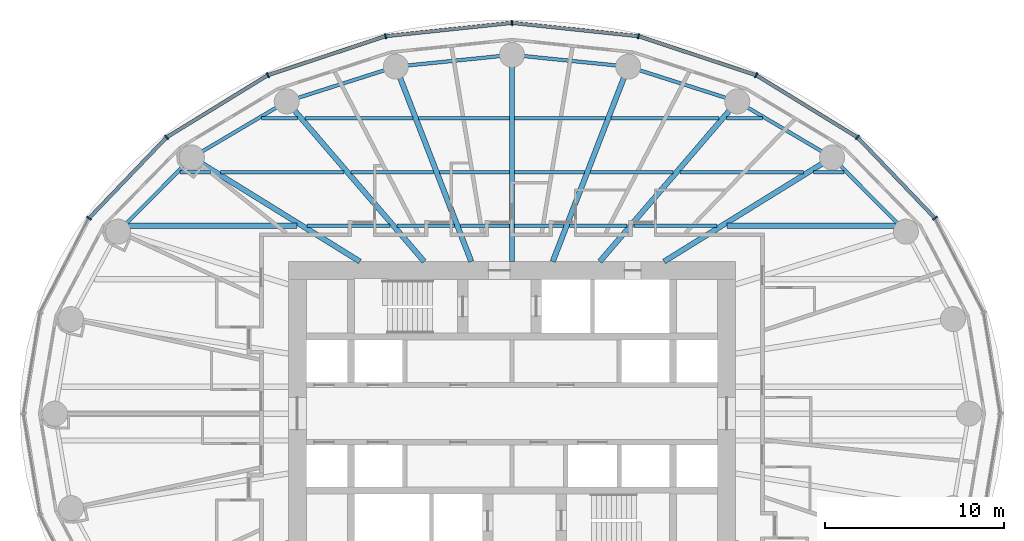
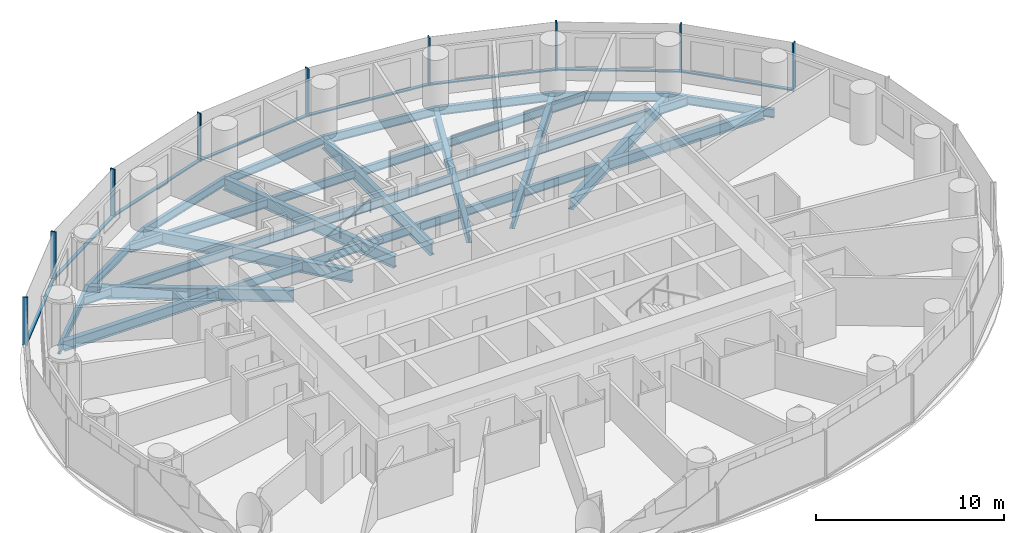
# One storey, part 4 of 14: 37 beams, 17 members, 2 elements without a shape of their own.
"""IFC4 building model written with IfcOpenShell, lengths in metres."""

from ifc_helpers import new_model, si_unit, direction, frame, origin, origin_2d, place, context, subcontext, project, spatial, rectangle, i_section, extrude, material, material_profile, profile_set, type_object, element, aggregate, save


model = new_model("IFC4")

# Units and contexts
model_context = context("Model", 3, precision=1e-05, world=origin(), true_north=direction((0.0, 1.0)))
body_context = subcontext(model_context, "Body", "Model", "MODEL_VIEW")
ifc_project = project(units=[si_unit("LENGTHUNIT", "METRE"), si_unit("AREAUNIT", "SQUARE_METRE"), si_unit("VOLUMEUNIT", "CUBIC_METRE"), si_unit("PLANEANGLEUNIT", "RADIAN"), si_unit("MASSUNIT", "GRAM", prefix="KILO")], contexts=[model_context])

# Site, building, storey
site_placement = place(None, origin())
site = spatial("IfcSite", under=ifc_project, at=site_placement, CompositionType="ELEMENT")
building_placement = place(site_placement, origin())
building = spatial("IfcBuilding", under=site, at=building_placement, Name="Hankou Lantern Tower", CompositionType="ELEMENT")
storey_placement = place(building_placement, frame((0.0, 0.0, 54.0)))
storey = spatial("IfcBuildingStorey", under=building, at=storey_placement, Name="L12", CompositionType="ELEMENT", Elevation=54.0)

# Beams
ifc_material_1 = material(Name="Steel Q355B", Category="steel")
ifc_material_profile_1 = material_profile(ifc_material_1, i_section(OverallWidth=0.199951171875, OverallDepth=0.550048828125, WebThickness=0.010009765625, FlangeThickness=0.01611328125, FilletRadius=0.012939453125, at=origin_2d()), Name="HN550x200x10x16")
ifc_profile_set_1 = profile_set([ifc_material_profile_1], Name="Steel Q355B")
beam_type_1 = type_object("IfcBeamType", Name="EB6 RING BEAM HN550x200x10x16", PredefinedType="SPANDREL", material=ifc_profile_set_1)
beam_1_placement = place(storey_placement, frame((22.01904296875, 10.170166015625, -0.455078125), z_axis=(-0.705727798394, 0.708483079949, 0.0), x_axis=(-0.708483079949, -0.705727798394, 0.0)))
element("IfcBeam", 1, at=beam_1_placement, inside=storey, type_object=beam_type_1, Name="Ring beam R03-R04 L12", PredefinedType="SPANDREL", context=body_context, shape_type="SweptSolid", body=[
    extrude(i_section(OverallWidth=0.199951171875, OverallDepth=0.550048828125, WebThickness=0.010009765625, FlangeThickness=0.01611328125, FilletRadius=0.012939453125, at=origin_2d()), origin(), (0.0, 0.0, 1.0), 5.84814453125),
])
beam_2_placement = place(storey_placement, frame((17.891845703125, 14.3134765625, -0.455078125), z_axis=(-0.860881533543, 0.508805449268, 0.0), x_axis=(-0.508805449268, -0.860881533543, 0.0)))
element("IfcBeam", 2, at=beam_2_placement, inside=storey, type_object=beam_type_1, Name="Ring beam R04-R05 L12", PredefinedType="SPANDREL", context=body_context, shape_type="SweptSolid", body=[
    extrude(i_section(OverallWidth=0.199951171875, OverallDepth=0.550048828125, WebThickness=0.010009765625, FlangeThickness=0.01611328125, FilletRadius=0.012939453125, at=origin_2d()), origin(), (0.0, 0.0, 1.0), 6.15771484375),
])
beam_3_placement = place(storey_placement, frame((12.5908203125, 17.446533203125, -0.455078125), z_axis=(-0.952690479428, 0.303942182671, 0.0), x_axis=(-0.303942182671, -0.952690479428, 0.0)))
element("IfcBeam", 3, at=beam_3_placement, inside=storey, type_object=beam_type_1, Name="Ring beam R05-R06 L12", PredefinedType="SPANDREL", context=body_context, shape_type="SweptSolid", body=[
    extrude(i_section(OverallWidth=0.199951171875, OverallDepth=0.550048828125, WebThickness=0.010009765625, FlangeThickness=0.01611328125, FilletRadius=0.012939453125, at=origin_2d()), origin(), (0.0, 0.0, 1.0), 6.398681640625),
])
for number, where, z_axis, x_axis, name in (
    (4, (6.494873046875, 19.391357421875, -0.455078125), (-0.994896616842, 0.100899562915, 0.0), (-0.100899562915, -0.994896616842, 0.0), "Ring beam R06-R07 L12"),
    (5, (0.0, 20.050048828125, -0.455078125), (-0.994896616842, -0.100899562915, 0.0), (0.100899562915, -0.994896616842, 0.0), "Ring beam R07-R08 L12"),
):
    element("IfcBeam", number, at=place(storey_placement, frame(where, z_axis=z_axis, x_axis=x_axis)), inside=storey, type_object=beam_type_1, Name=name, PredefinedType="SPANDREL", context=body_context, shape_type="SweptSolid", body=[
        extrude(i_section(OverallWidth=0.199951171875, OverallDepth=0.550048828125, WebThickness=0.010009765625, FlangeThickness=0.01611328125, FilletRadius=0.012939453125, at=origin_2d()), origin(), (0.0, 0.0, 1.0), 6.528076171875),
    ])
beam_4_placement = place(storey_placement, frame((-6.494873046875, 19.391357421875, -0.455078125), z_axis=(-0.952690479428, -0.303942182671, 0.0), x_axis=(0.303942182671, -0.952690479428, 0.0)))
element("IfcBeam", 6, at=beam_4_placement, inside=storey, type_object=beam_type_1, Name="Ring beam R08-R09 L12", PredefinedType="SPANDREL", context=body_context, shape_type="SweptSolid", body=[
    extrude(i_section(OverallWidth=0.199951171875, OverallDepth=0.550048828125, WebThickness=0.010009765625, FlangeThickness=0.01611328125, FilletRadius=0.012939453125, at=origin_2d()), origin(), (0.0, 0.0, 1.0), 6.398681640625),
])
beam_5_placement = place(storey_placement, frame((-12.5908203125, 17.446533203125, -0.455078125), z_axis=(-0.860881533543, -0.508805449268, 0.0), x_axis=(0.508805449268, -0.860881533543, 0.0)))
element("IfcBeam", 7, at=beam_5_placement, inside=storey, type_object=beam_type_1, Name="Ring beam R09-R10 L12", PredefinedType="SPANDREL", context=body_context, shape_type="SweptSolid", body=[
    extrude(i_section(OverallWidth=0.199951171875, OverallDepth=0.550048828125, WebThickness=0.010009765625, FlangeThickness=0.01611328125, FilletRadius=0.012939453125, at=origin_2d()), origin(), (0.0, 0.0, 1.0), 6.15771484375),
])
beam_6_placement = place(storey_placement, frame((-17.891845703125, 14.3134765625, -0.455078125), z_axis=(-0.705727798394, -0.708483079949, 0.0), x_axis=(0.708483079949, -0.705727798394, 0.0)))
element("IfcBeam", 8, at=beam_6_placement, inside=storey, type_object=beam_type_1, Name="Ring beam R10-R11 L12", PredefinedType="SPANDREL", context=body_context, shape_type="SweptSolid", body=[
    extrude(i_section(OverallWidth=0.199951171875, OverallDepth=0.550048828125, WebThickness=0.010009765625, FlangeThickness=0.01611328125, FilletRadius=0.012939453125, at=origin_2d()), origin(), (0.0, 0.0, 1.0), 5.84814453125),
])

# Curtain wall, members
ifc_material_2 = material(Name="Glass, dark grey tinted laminated", Category="glass")
curtain_wall_type = type_object("IfcCurtainWallType", Name="CWA OUTER SKIN LOW-RISE", PredefinedType="USERDEFINED", material=ifc_material_2)
curtain_wall_1_placement = place(storey_placement, origin())
curtain_wall_1 = element("IfcCurtainWall", 9, at=curtain_wall_1_placement, inside=storey, type_object=curtain_wall_type, Name="CWA L12 OS1", ObjectType="OUTER SKIN LOW-RISE", PredefinedType="USERDEFINED")
ifc_material_3 = material(Name="Aluminium, black anodised", Category="aluminium")
ifc_material_profile_2 = material_profile(ifc_material_3, rectangle(XDim=0.080078125, YDim=0.300048828125, at=origin_2d()), Name="MU1 80X300")
ifc_profile_set_2 = profile_set([ifc_material_profile_2], Name="Aluminium, black anodised")
member_type_1 = type_object("IfcMemberType", Name="MU1 OUTER SKIN MULLION 80X300", PredefinedType="MULLION", material=ifc_profile_set_2)
member_1_placement = place(storey_placement, frame((23.642578125, 10.919921875, 0.0), z_axis=(0.0, 0.0, 1.0), x_axis=(-0.585205735974, 0.810884854084, 0.0)))
member_1 = element("IfcMember", 10, at=member_1_placement, type_object=member_type_1, Name="CWA mullion 3", PredefinedType="MULLION", context=body_context, shape_type="SweptSolid", body=[
    extrude(rectangle(XDim=0.080078125, YDim=0.300048828125, at=origin_2d()), origin(), (0.0, 0.0, 1.0), 3.1201171875),
])
member_2_placement = place(storey_placement, frame((19.303955078125, 15.443115234375, 0.0), z_axis=(0.0, 0.0, 1.0), x_axis=(-0.780868809444, 0.624695047553, 0.0)))
member_2 = element("IfcMember", 11, at=member_2_placement, type_object=member_type_1, Name="CWA mullion 4", PredefinedType="MULLION", context=body_context, shape_type="SweptSolid", body=[
    extrude(rectangle(XDim=0.080078125, YDim=0.300048828125, at=origin_2d()), origin(), (0.0, 0.0, 1.0), 3.1201171875),
])
member_3_placement = place(storey_placement, frame((13.64990234375, 18.9140625, 0.0), z_axis=(0.0, 0.0, 1.0), x_axis=(-0.907841299004, 0.419313934686, 0.0)))
member_3 = element("IfcMember", 12, at=member_3_placement, type_object=member_type_1, Name="CWA mullion 5", PredefinedType="MULLION", context=body_context, shape_type="SweptSolid", body=[
    extrude(rectangle(XDim=0.080078125, YDim=0.300048828125, at=origin_2d()), origin(), (0.0, 0.0, 1.0), 3.1201171875),
])
member_4_placement = place(storey_placement, frame((7.065673828125, 21.095703125, 0.0), z_axis=(0.0, 0.0, 1.0), x_axis=(-0.977787659625, 0.209597931016, 0.0)))
member_4 = element("IfcMember", 13, at=member_4_placement, type_object=member_type_1, Name="CWA mullion 6", PredefinedType="MULLION", context=body_context, shape_type="SweptSolid", body=[
    extrude(rectangle(XDim=0.080078125, YDim=0.300048828125, at=origin_2d()), origin(), (0.0, 0.0, 1.0), 3.1201171875),
])

curtain_wall_2_placement = place(storey_placement, origin())
curtain_wall_2 = element("IfcCurtainWall", 14, at=curtain_wall_2_placement, inside=storey, type_object=curtain_wall_type, Name="CWA L12 OS2", ObjectType="OUTER SKIN LOW-RISE", PredefinedType="USERDEFINED")
member_5_placement = place(storey_placement, frame((0.0, 21.840087890625, 0.0), z_axis=(0.0, 0.0, 1.0), x_axis=(-0.994499359107, -0.104742659579, 0.0)))
member_5 = element("IfcMember", 15, at=member_5_placement, type_object=member_type_1, Name="CWA mullion 1", PredefinedType="MULLION", context=body_context, shape_type="SweptSolid", body=[
    extrude(rectangle(XDim=0.080078125, YDim=0.300048828125, at=origin_2d()), origin(), (0.0, 0.0, 1.0), 3.1201171875),
])
member_6_placement = place(storey_placement, frame((-7.065673828125, 21.095703125, 0.0), z_axis=(0.0, 0.0, 1.0), x_axis=(-0.977787659625, -0.209597931016, 0.0)))
member_6 = element("IfcMember", 16, at=member_6_placement, type_object=member_type_1, Name="CWA mullion 2", PredefinedType="MULLION", context=body_context, shape_type="SweptSolid", body=[
    extrude(rectangle(XDim=0.080078125, YDim=0.300048828125, at=origin_2d()), origin(), (0.0, 0.0, 1.0), 3.1201171875),
])
member_7_placement = place(storey_placement, frame((-13.64990234375, 18.9140625, 0.0), z_axis=(0.0, 0.0, 1.0), x_axis=(-0.907841299004, -0.419313934686, 0.0)))
member_7 = element("IfcMember", 17, at=member_7_placement, type_object=member_type_1, Name="CWA mullion 3", PredefinedType="MULLION", context=body_context, shape_type="SweptSolid", body=[
    extrude(rectangle(XDim=0.080078125, YDim=0.300048828125, at=origin_2d()), origin(), (0.0, 0.0, 1.0), 3.1201171875),
])
member_8_placement = place(storey_placement, frame((-19.303955078125, 15.443115234375, 0.0), z_axis=(0.0, 0.0, 1.0), x_axis=(-0.780868809444, -0.624695047553, 0.0)))
member_8 = element("IfcMember", 18, at=member_8_placement, type_object=member_type_1, Name="CWA mullion 4", PredefinedType="MULLION", context=body_context, shape_type="SweptSolid", body=[
    extrude(rectangle(XDim=0.080078125, YDim=0.300048828125, at=origin_2d()), origin(), (0.0, 0.0, 1.0), 3.1201171875),
])
member_9_placement = place(storey_placement, frame((-23.642578125, 10.919921875, 0.0), z_axis=(0.0, 0.0, 1.0), x_axis=(-0.585205735974, -0.810884854084, 0.0)))
member_9 = element("IfcMember", 19, at=member_9_placement, type_object=member_type_1, Name="CWA mullion 5", PredefinedType="MULLION", context=body_context, shape_type="SweptSolid", body=[
    extrude(rectangle(XDim=0.080078125, YDim=0.300048828125, at=origin_2d()), origin(), (0.0, 0.0, 1.0), 3.1201171875),
])

# Beams
ifc_material_4 = material(Name="Steel Q355B", Category="steel")
ifc_material_profile_3 = material_profile(ifc_material_4, i_section(OverallWidth=0.300048828125, OverallDepth=0.800048828125, WebThickness=0.013916015625, FlangeThickness=0.02587890625, FilletRadius=0.01806640625, at=origin_2d()), Name="HN800x300x14x26")
ifc_profile_set_3 = profile_set([ifc_material_profile_3], Name="Steel Q355B")
beam_type_2 = type_object("IfcBeamType", Name="RB11 RADIAL BEAM HN800x300x14x26", PredefinedType="BEAM", material=ifc_profile_set_3)
beam_7_placement = place(storey_placement, frame((8.5, 8.5, -0.580078125), z_axis=(0.850286343288, 0.526320372414, 0.0), x_axis=(-0.526320372414, 0.850286343288, 0.0)))
element("IfcBeam", 20, at=beam_7_placement, inside=storey, type_object=beam_type_2, Name="Radial beam R04 L12", PredefinedType="BEAM", context=body_context, shape_type="SweptSolid", body=[
    extrude(i_section(OverallWidth=0.300048828125, OverallDepth=0.800048828125, WebThickness=0.013916015625, FlangeThickness=0.02587890625, FilletRadius=0.01806640625, at=origin_2d()), origin(), (0.0, 0.0, 1.0), 11.04541015625),
])
beam_8_placement = place(storey_placement, frame((4.907470703125, 8.5, -0.580078125), z_axis=(0.651519061225, 0.758632264579, 0.0), x_axis=(-0.758632264579, 0.651519061225, 0.0)))
element("IfcBeam", 21, at=beam_8_placement, inside=storey, type_object=beam_type_2, Name="Radial beam R05 L12", PredefinedType="BEAM", context=body_context, shape_type="SweptSolid", body=[
    extrude(i_section(OverallWidth=0.300048828125, OverallDepth=0.800048828125, WebThickness=0.013916015625, FlangeThickness=0.02587890625, FilletRadius=0.01806640625, at=origin_2d()), origin(), (0.0, 0.0, 1.0), 11.79296875),
])
beam_9_placement = place(storey_placement, frame((2.277587890625, 8.5, -0.580078125), z_axis=(0.361089103374, 0.932531318201, 0.0), x_axis=(-0.932531318201, 0.361089103374, 0.0)))
element("IfcBeam", 22, at=beam_9_placement, inside=storey, type_object=beam_type_2, Name="Radial beam R06 L12", PredefinedType="BEAM", context=body_context, shape_type="SweptSolid", body=[
    extrude(i_section(OverallWidth=0.300048828125, OverallDepth=0.800048828125, WebThickness=0.013916015625, FlangeThickness=0.02587890625, FilletRadius=0.01806640625, at=origin_2d()), origin(), (0.0, 0.0, 1.0), 11.679443359375),
])
beam_10_placement = place(storey_placement, frame((0.0, 8.5, -0.580078125), z_axis=(0.0, 1.0, 0.0), x_axis=(-1.0, 0.0, 0.0)))
element("IfcBeam", 23, at=beam_10_placement, inside=storey, type_object=beam_type_2, Name="Radial beam R07 L12", PredefinedType="BEAM", context=body_context, shape_type="SweptSolid", body=[
    extrude(i_section(OverallWidth=0.300048828125, OverallDepth=0.800048828125, WebThickness=0.013916015625, FlangeThickness=0.02587890625, FilletRadius=0.01806640625, at=origin_2d()), origin(), (0.0, 0.0, 1.0), 11.550048828125),
])
beam_11_placement = place(storey_placement, frame((-2.277587890625, 8.5, -0.580078125), z_axis=(-0.361089103374, 0.932531318201, 0.0), x_axis=(-0.932531318201, -0.361089103374, 0.0)))
element("IfcBeam", 24, at=beam_11_placement, inside=storey, type_object=beam_type_2, Name="Radial beam R08 L12", PredefinedType="BEAM", context=body_context, shape_type="SweptSolid", body=[
    extrude(i_section(OverallWidth=0.300048828125, OverallDepth=0.800048828125, WebThickness=0.013916015625, FlangeThickness=0.02587890625, FilletRadius=0.01806640625, at=origin_2d()), origin(), (0.0, 0.0, 1.0), 11.679443359375),
])
beam_12_placement = place(storey_placement, frame((-4.907470703125, 8.5, -0.580078125), z_axis=(-0.651519061225, 0.758632264579, 0.0), x_axis=(-0.758632264579, -0.651519061225, 0.0)))
element("IfcBeam", 25, at=beam_12_placement, inside=storey, type_object=beam_type_2, Name="Radial beam R09 L12", PredefinedType="BEAM", context=body_context, shape_type="SweptSolid", body=[
    extrude(i_section(OverallWidth=0.300048828125, OverallDepth=0.800048828125, WebThickness=0.013916015625, FlangeThickness=0.02587890625, FilletRadius=0.01806640625, at=origin_2d()), origin(), (0.0, 0.0, 1.0), 11.79296875),
])
beam_13_placement = place(storey_placement, frame((-8.5, 8.5, -0.580078125), z_axis=(-0.850286343288, 0.526320372414, 0.0), x_axis=(-0.526320372414, -0.850286343288, 0.0)))
element("IfcBeam", 26, at=beam_13_placement, inside=storey, type_object=beam_type_2, Name="Radial beam R10 L12", PredefinedType="BEAM", context=body_context, shape_type="SweptSolid", body=[
    extrude(i_section(OverallWidth=0.300048828125, OverallDepth=0.800048828125, WebThickness=0.013916015625, FlangeThickness=0.02587890625, FilletRadius=0.01806640625, at=origin_2d()), origin(), (0.0, 0.0, 1.0), 11.04541015625),
])
ifc_material_5 = material(Name="Steel Q355B", Category="steel")
ifc_material_profile_4 = material_profile(ifc_material_5, i_section(OverallWidth=0.199951171875, OverallDepth=0.550048828125, WebThickness=0.010009765625, FlangeThickness=0.01611328125, FilletRadius=0.012939453125, at=origin_2d()), Name="HN550x200x10x16")
ifc_profile_set_4 = profile_set([ifc_material_profile_4], Name="Steel Q355B")
beam_type_3 = type_object("IfcBeamType", Name="SB6 SECONDARY BEAM HN550x200x10x16", PredefinedType="JOIST", material=ifc_profile_set_4)
beam_14_placement = place(storey_placement, frame((-11.446044921875, 10.5, -0.455078125), z_axis=(1.0, 0.0, 0.0), x_axis=(0.0, 1.0, 0.0)))
element("IfcBeam", 27, at=beam_14_placement, inside=storey, type_object=beam_type_3, Name="Floor joist J040 L12", PredefinedType="JOIST", context=body_context, shape_type="SweptSolid", body=[
    extrude(i_section(OverallWidth=0.199951171875, OverallDepth=0.550048828125, WebThickness=0.010009765625, FlangeThickness=0.01611328125, FilletRadius=0.012939453125, at=origin_2d()), origin(), (0.0, 0.0, 1.0), 4.623291015625),
])
beam_15_placement = place(storey_placement, frame((-6.427490234375, 10.5, -0.455078125), z_axis=(1.0, 0.0, 0.0), x_axis=(0.0, 1.0, 0.0)))
element("IfcBeam", 28, at=beam_15_placement, inside=storey, type_object=beam_type_3, Name="Floor joist J041 L12", PredefinedType="JOIST", context=body_context, shape_type="SweptSolid", body=[
    extrude(i_section(OverallWidth=0.199951171875, OverallDepth=0.550048828125, WebThickness=0.010009765625, FlangeThickness=0.01611328125, FilletRadius=0.012939453125, at=origin_2d()), origin(), (0.0, 0.0, 1.0), 3.214599609375),
])
for number, where, z_axis, x_axis, name in (
    (29, (-2.89111328125, 10.5, -0.455078125), (1.0, 0.0, 0.0), (0.0, 1.0, 0.0), "Floor joist J042 L12"),
    (30, (0.14990234375, 10.5, -0.455078125), (1.0, 0.0, 0.0), (0.0, 1.0, 0.0), "Floor joist J043 L12"),
):
    element("IfcBeam", number, at=place(storey_placement, frame(where, z_axis=z_axis, x_axis=x_axis)), inside=storey, type_object=beam_type_3, Name=name, PredefinedType="JOIST", context=body_context, shape_type="SweptSolid", body=[
        extrude(i_section(OverallWidth=0.199951171875, OverallDepth=0.550048828125, WebThickness=0.010009765625, FlangeThickness=0.01611328125, FilletRadius=0.012939453125, at=origin_2d()), origin(), (0.0, 0.0, 1.0), 2.7412109375),
    ])
beam_16_placement = place(storey_placement, frame((3.212890625, 10.5, -0.455078125), z_axis=(1.0, 0.0, 0.0), x_axis=(0.0, 1.0, 0.0)))
element("IfcBeam", 31, at=beam_16_placement, inside=storey, type_object=beam_type_3, Name="Floor joist J044 L12", PredefinedType="JOIST", context=body_context, shape_type="SweptSolid", body=[
    extrude(i_section(OverallWidth=0.199951171875, OverallDepth=0.550048828125, WebThickness=0.010009765625, FlangeThickness=0.01611328125, FilletRadius=0.012939453125, at=origin_2d()), origin(), (0.0, 0.0, 1.0), 3.214599609375),
])
beam_17_placement = place(storey_placement, frame((6.82275390625, 10.5, -0.455078125), z_axis=(1.0, 0.0, 0.0), x_axis=(0.0, 1.0, 0.0)))
element("IfcBeam", 32, at=beam_17_placement, inside=storey, type_object=beam_type_3, Name="Floor joist J045 L12", PredefinedType="JOIST", context=body_context, shape_type="SweptSolid", body=[
    extrude(i_section(OverallWidth=0.199951171875, OverallDepth=0.550048828125, WebThickness=0.010009765625, FlangeThickness=0.01611328125, FilletRadius=0.012939453125, at=origin_2d()), origin(), (0.0, 0.0, 1.0), 4.623291015625),
])
beam_18_placement = place(storey_placement, frame((-18.560791015625, 13.5, -0.455078125), z_axis=(1.0, 0.0, 0.0), x_axis=(0.0, 1.0, 0.0)))
element("IfcBeam", 33, at=beam_18_placement, inside=storey, type_object=beam_type_3, Name="Floor joist J047 L12", PredefinedType="JOIST", context=body_context, shape_type="SweptSolid", body=[
    extrude(i_section(OverallWidth=0.199951171875, OverallDepth=0.550048828125, WebThickness=0.010009765625, FlangeThickness=0.01611328125, FilletRadius=0.012939453125, at=origin_2d()), origin(), (0.0, 0.0, 1.0), 1.697998046875),
])
beam_19_placement = place(storey_placement, frame((-16.292724609375, 13.5, -0.455078125), z_axis=(1.0, 0.0, 0.0), x_axis=(0.0, 1.0, 0.0)))
element("IfcBeam", 34, at=beam_19_placement, inside=storey, type_object=beam_type_3, Name="Floor joist J048 L12", PredefinedType="JOIST", context=body_context, shape_type="SweptSolid", body=[
    extrude(i_section(OverallWidth=0.199951171875, OverallDepth=0.550048828125, WebThickness=0.010009765625, FlangeThickness=0.01611328125, FilletRadius=0.012939453125, at=origin_2d()), origin(), (0.0, 0.0, 1.0), 6.893310546875),
])
beam_20_placement = place(storey_placement, frame((-9.00390625, 13.5, -0.455078125), z_axis=(1.0, 0.0, 0.0), x_axis=(0.0, 1.0, 0.0)))
element("IfcBeam", 35, at=beam_20_placement, inside=storey, type_object=beam_type_3, Name="Floor joist J049 L12", PredefinedType="JOIST", context=body_context, shape_type="SweptSolid", body=[
    extrude(i_section(OverallWidth=0.199951171875, OverallDepth=0.550048828125, WebThickness=0.010009765625, FlangeThickness=0.01611328125, FilletRadius=0.012939453125, at=origin_2d()), origin(), (0.0, 0.0, 1.0), 4.62939453125),
])
for number, where, z_axis, x_axis, name in (
    (36, (-4.052734375, 13.5, -0.455078125), (1.0, 0.0, 0.0), (0.0, 1.0, 0.0), "Floor joist J050 L12"),
    (37, (0.14990234375, 13.5, -0.455078125), (1.0, 0.0, 0.0), (0.0, 1.0, 0.0), "Floor joist J051 L12"),
):
    element("IfcBeam", number, at=place(storey_placement, frame(where, z_axis=z_axis, x_axis=x_axis)), inside=storey, type_object=beam_type_3, Name=name, PredefinedType="JOIST", context=body_context, shape_type="SweptSolid", body=[
        extrude(i_section(OverallWidth=0.199951171875, OverallDepth=0.550048828125, WebThickness=0.010009765625, FlangeThickness=0.01611328125, FilletRadius=0.012939453125, at=origin_2d()), origin(), (0.0, 0.0, 1.0), 3.90283203125),
    ])
beam_21_placement = place(storey_placement, frame((4.37451171875, 13.5, -0.455078125), z_axis=(1.0, 0.0, 0.0), x_axis=(0.0, 1.0, 0.0)))
element("IfcBeam", 38, at=beam_21_placement, inside=storey, type_object=beam_type_3, Name="Floor joist J052 L12", PredefinedType="JOIST", context=body_context, shape_type="SweptSolid", body=[
    extrude(i_section(OverallWidth=0.199951171875, OverallDepth=0.550048828125, WebThickness=0.010009765625, FlangeThickness=0.01611328125, FilletRadius=0.012939453125, at=origin_2d()), origin(), (0.0, 0.0, 1.0), 4.62939453125),
])
beam_22_placement = place(storey_placement, frame((9.3994140625, 13.5, -0.455078125), z_axis=(1.0, 0.0, 0.0), x_axis=(0.0, 1.0, 0.0)))
element("IfcBeam", 39, at=beam_22_placement, inside=storey, type_object=beam_type_3, Name="Floor joist J053 L12", PredefinedType="JOIST", context=body_context, shape_type="SweptSolid", body=[
    extrude(i_section(OverallWidth=0.199951171875, OverallDepth=0.550048828125, WebThickness=0.010009765625, FlangeThickness=0.01611328125, FilletRadius=0.012939453125, at=origin_2d()), origin(), (0.0, 0.0, 1.0), 6.893310546875),
])
beam_23_placement = place(storey_placement, frame((16.86279296875, 13.5, -0.455078125), z_axis=(1.0, 0.0, 0.0), x_axis=(0.0, 1.0, 0.0)))
element("IfcBeam", 40, at=beam_23_placement, inside=storey, type_object=beam_type_3, Name="Floor joist J054 L12", PredefinedType="JOIST", context=body_context, shape_type="SweptSolid", body=[
    extrude(i_section(OverallWidth=0.199951171875, OverallDepth=0.550048828125, WebThickness=0.010009765625, FlangeThickness=0.01611328125, FilletRadius=0.012939453125, at=origin_2d()), origin(), (0.0, 0.0, 1.0), 1.697998046875),
])
beam_24_placement = place(storey_placement, frame((-13.99560546875, 16.5, -0.455078125), z_axis=(1.0, 0.0, 0.0), x_axis=(0.0, 1.0, 0.0)))
element("IfcBeam", 41, at=beam_24_placement, inside=storey, type_object=beam_type_3, Name="Floor joist J055 L12", PredefinedType="JOIST", context=body_context, shape_type="SweptSolid", body=[
    extrude(i_section(OverallWidth=0.199951171875, OverallDepth=0.550048828125, WebThickness=0.010009765625, FlangeThickness=0.01611328125, FilletRadius=0.012939453125, at=origin_2d()), origin(), (0.0, 0.0, 1.0), 2.019775390625),
])
beam_25_placement = place(storey_placement, frame((-11.580322265625, 16.5, -0.455078125), z_axis=(1.0, 0.0, 0.0), x_axis=(0.0, 1.0, 0.0)))
element("IfcBeam", 42, at=beam_25_placement, inside=storey, type_object=beam_type_3, Name="Floor joist J056 L12", PredefinedType="JOIST", context=body_context, shape_type="SweptSolid", body=[
    extrude(i_section(OverallWidth=0.199951171875, OverallDepth=0.550048828125, WebThickness=0.010009765625, FlangeThickness=0.01611328125, FilletRadius=0.012939453125, at=origin_2d()), origin(), (0.0, 0.0, 1.0), 6.044189453125),
])
for number, where, z_axis, x_axis, name in (
    (43, (-5.21435546875, 16.5, -0.455078125), (1.0, 0.0, 0.0), (0.0, 1.0, 0.0), "Floor joist J057 L12"),
    (44, (0.14990234375, 16.5, -0.455078125), (1.0, 0.0, 0.0), (0.0, 1.0, 0.0), "Floor joist J058 L12"),
):
    element("IfcBeam", number, at=place(storey_placement, frame(where, z_axis=z_axis, x_axis=x_axis)), inside=storey, type_object=beam_type_3, Name=name, PredefinedType="JOIST", context=body_context, shape_type="SweptSolid", body=[
        extrude(i_section(OverallWidth=0.199951171875, OverallDepth=0.550048828125, WebThickness=0.010009765625, FlangeThickness=0.01611328125, FilletRadius=0.012939453125, at=origin_2d()), origin(), (0.0, 0.0, 1.0), 5.064453125),
    ])
beam_26_placement = place(storey_placement, frame((5.5361328125, 16.5, -0.455078125), z_axis=(1.0, 0.0, 0.0), x_axis=(0.0, 1.0, 0.0)))
element("IfcBeam", 45, at=beam_26_placement, inside=storey, type_object=beam_type_3, Name="Floor joist J059 L12", PredefinedType="JOIST", context=body_context, shape_type="SweptSolid", body=[
    extrude(i_section(OverallWidth=0.199951171875, OverallDepth=0.550048828125, WebThickness=0.010009765625, FlangeThickness=0.01611328125, FilletRadius=0.012939453125, at=origin_2d()), origin(), (0.0, 0.0, 1.0), 6.044189453125),
])
beam_27_placement = place(storey_placement, frame((11.975830078125, 16.5, -0.455078125), z_axis=(1.0, 0.0, 0.0), x_axis=(0.0, 1.0, 0.0)))
element("IfcBeam", 46, at=beam_27_placement, inside=storey, type_object=beam_type_3, Name="Floor joist J060 L12", PredefinedType="JOIST", context=body_context, shape_type="SweptSolid", body=[
    extrude(i_section(OverallWidth=0.199951171875, OverallDepth=0.550048828125, WebThickness=0.010009765625, FlangeThickness=0.01611328125, FilletRadius=0.012939453125, at=origin_2d()), origin(), (0.0, 0.0, 1.0), 2.019775390625),
])
ifc_material_6 = material(Name="Steel Q355B", Category="steel")
ifc_material_profile_5 = material_profile(ifc_material_6, i_section(OverallWidth=0.300048828125, OverallDepth=0.64990234375, WebThickness=0.010986328125, FlangeThickness=0.01708984375, FilletRadius=0.01806640625, at=origin_2d()), Name="HN650x300x11x17")
ifc_profile_set_5 = profile_set([ifc_material_profile_5], Name="Steel Q355B")
beam_type_4 = type_object("IfcBeamType", Name="SB8 SECONDARY BEAM HN650x300x11x17", PredefinedType="JOIST", material=ifc_profile_set_5)
for number, where, z_axis, x_axis, name in (
    (47, (-21.54931640625, 10.5, -0.5048828125), (1.0, 0.0, 0.0), (0.0, 1.0, 0.0), "Floor joist J039 L12"),
    (48, (12.01611328125, 10.5, -0.5048828125), (1.0, 0.0, 0.0), (0.0, 1.0, 0.0), "Floor joist J046 L12"),
):
    element("IfcBeam", number, at=place(storey_placement, frame(where, z_axis=z_axis, x_axis=x_axis)), inside=storey, type_object=beam_type_4, Name=name, PredefinedType="JOIST", context=body_context, shape_type="SweptSolid", body=[
        extrude(i_section(OverallWidth=0.300048828125, OverallDepth=0.64990234375, WebThickness=0.010986328125, FlangeThickness=0.01708984375, FilletRadius=0.01806640625, at=origin_2d()), origin(), (0.0, 0.0, 1.0), 9.533203125),
    ])

# Member
ifc_material_7 = material(Name="Aluminium, black anodised", Category="aluminium")
ifc_material_profile_6 = material_profile(ifc_material_7, rectangle(XDim=0.199951171875, YDim=0.080078125, at=origin_2d()), Name="TR1 200X80")
ifc_profile_set_6 = profile_set([ifc_material_profile_6], Name="Aluminium, black anodised")
member_type_2 = type_object("IfcMemberType", Name="TR1 OUTER SKIN TRANSOM 200X80", PredefinedType="USERDEFINED", material=ifc_profile_set_6)
member_10_placement = place(storey_placement, frame((23.61474609375, 10.948974609375, 0.0400390625), z_axis=(-0.692215537374, 0.721690827029, 0.0), x_axis=(-0.721690827029, -0.692215537374, 0.0)))
member_10 = element("IfcMember", 49, at=member_10_placement, type_object=member_type_2, Name="CWA transom 3", ObjectType="TRANSOM", PredefinedType="USERDEFINED", context=body_context, shape_type="SweptSolid", body=[
    extrude(rectangle(XDim=0.199951171875, YDim=0.080078125, at=origin_2d()), origin(), (0.0, 0.0, 1.0), 6.187255859375),
])

member_11_placement = place(storey_placement, frame((19.27001953125, 15.464111328125, 0.0400390625), z_axis=(-0.85223969557, 0.523151508929, 0.0), x_axis=(-0.523151508929, -0.85223969557, 0.0)))
member_11 = element("IfcMember", 50, at=member_11_placement, type_object=member_type_2, Name="CWA transom 4", ObjectType="TRANSOM", PredefinedType="USERDEFINED", context=body_context, shape_type="SweptSolid", body=[
    extrude(rectangle(XDim=0.199951171875, YDim=0.080078125, at=origin_2d()), origin(), (0.0, 0.0, 1.0), 6.554443359375),
])

member_12_placement = place(storey_placement, frame((13.612060546875, 18.926513671875, 0.0400390625), z_axis=(-0.949237318771, 0.314560825044, 0.0), x_axis=(-0.314560825044, -0.949237318771, 0.0)))
member_12 = element("IfcMember", 51, at=member_12_placement, type_object=member_type_2, Name="CWA transom 5", ObjectType="TRANSOM", PredefinedType="USERDEFINED", context=body_context, shape_type="SweptSolid", body=[
    extrude(rectangle(XDim=0.199951171875, YDim=0.080078125, at=origin_2d()), origin(), (0.0, 0.0, 1.0), 6.8564453125),
])

member_13_placement = place(storey_placement, frame((7.02587890625, 21.10009765625, 0.0400390625), z_axis=(-0.994502215033, 0.104715539888, 0.0), x_axis=(-0.104715539888, -0.994502215033, 0.0)))
member_13 = element("IfcMember", 52, at=member_13_placement, type_object=member_type_2, Name="CWA transom 6", ObjectType="TRANSOM", PredefinedType="USERDEFINED", context=body_context, shape_type="SweptSolid", body=[
    extrude(rectangle(XDim=0.199951171875, YDim=0.080078125, at=origin_2d()), origin(), (0.0, 0.0, 1.0), 7.024658203125),
])

aggregate(curtain_wall_1, [member_1, member_2, member_3, member_4, member_10, member_11, member_12, member_13])

member_14_placement = place(storey_placement, frame((-0.039794921875, 21.835693359375, 0.0400390625), z_axis=(-0.994502215033, -0.104715539888, 0.0), x_axis=(0.104715539888, -0.994502215033, 0.0)))
member_14 = element("IfcMember", 53, at=member_14_placement, type_object=member_type_2, Name="CWA transom 1", ObjectType="TRANSOM", PredefinedType="USERDEFINED", context=body_context, shape_type="SweptSolid", body=[
    extrude(rectangle(XDim=0.199951171875, YDim=0.080078125, at=origin_2d()), origin(), (0.0, 0.0, 1.0), 7.024658203125),
])

member_15_placement = place(storey_placement, frame((-7.103759765625, 21.083251953125, 0.0400390625), z_axis=(-0.949237318771, -0.314560825044, 0.0), x_axis=(0.314560825044, -0.949237318771, 0.0)))
member_15 = element("IfcMember", 54, at=member_15_placement, type_object=member_type_2, Name="CWA transom 2", ObjectType="TRANSOM", PredefinedType="USERDEFINED", context=body_context, shape_type="SweptSolid", body=[
    extrude(rectangle(XDim=0.199951171875, YDim=0.080078125, at=origin_2d()), origin(), (0.0, 0.0, 1.0), 6.8564453125),
])

member_16_placement = place(storey_placement, frame((-13.68408203125, 18.89306640625, 0.0400390625), z_axis=(-0.85223969557, -0.523151508929, 0.0), x_axis=(0.523151508929, -0.85223969557, 0.0)))
member_16 = element("IfcMember", 55, at=member_16_placement, type_object=member_type_2, Name="CWA transom 3", ObjectType="TRANSOM", PredefinedType="USERDEFINED", context=body_context, shape_type="SweptSolid", body=[
    extrude(rectangle(XDim=0.199951171875, YDim=0.080078125, at=origin_2d()), origin(), (0.0, 0.0, 1.0), 6.554443359375),
])

member_17_placement = place(storey_placement, frame((-19.331787109375, 15.414306640625, 0.0400390625), z_axis=(-0.692215537374, -0.721690827029, 0.0), x_axis=(0.721690827029, -0.692215537374, 0.0)))
member_17 = element("IfcMember", 56, at=member_17_placement, type_object=member_type_2, Name="CWA transom 4", ObjectType="TRANSOM", PredefinedType="USERDEFINED", context=body_context, shape_type="SweptSolid", body=[
    extrude(rectangle(XDim=0.199951171875, YDim=0.080078125, at=origin_2d()), origin(), (0.0, 0.0, 1.0), 6.187255859375),
])

aggregate(curtain_wall_2, [member_5, member_6, member_7, member_8, member_9, member_14, member_15, member_16, member_17])

save(model, "model.ifc")
